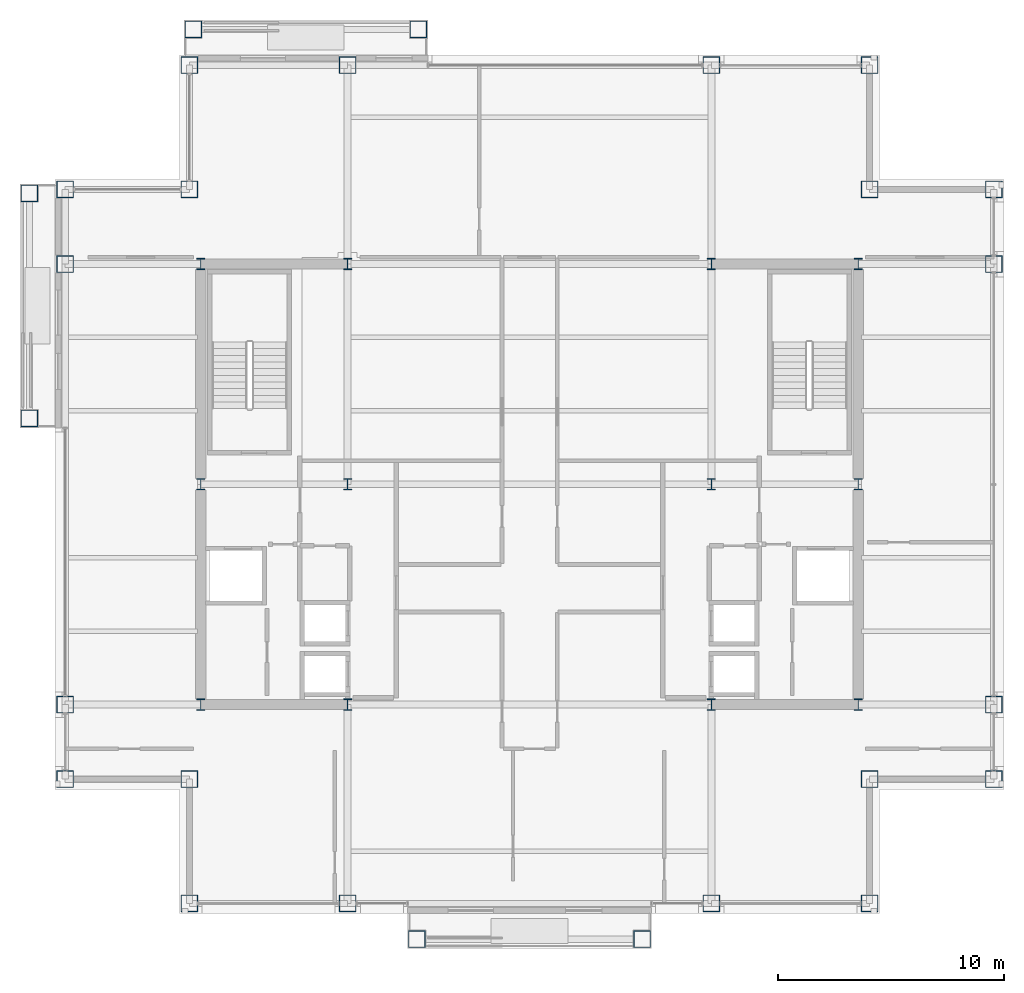
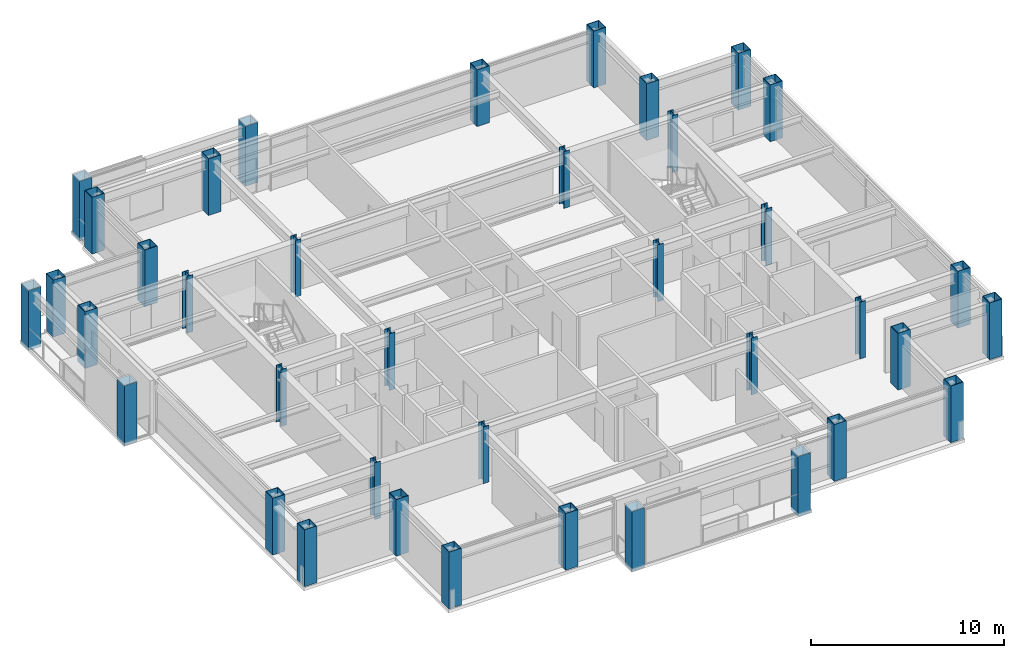
# One storey, part 1 of 27: 38 columns.
"""IFC4 building model written with IfcOpenShell, lengths in metres."""

from ifc_helpers import new_model, si_unit, direction, frame, origin, origin_2d, place, context, subcontext, project, spatial, hollow_rectangle, i_section, extrude, material, material_profile, profile_set, type_object, element, save


model = new_model("IFC4")

# Units and contexts
model_context = context("Model", 3, precision=1e-05, world=origin(), true_north=direction((0.0, 1.0)))
body_context = subcontext(model_context, "Body", "Model", "MODEL_VIEW")
ifc_project = project(units=[si_unit("LENGTHUNIT", "METRE"), si_unit("AREAUNIT", "SQUARE_METRE"), si_unit("VOLUMEUNIT", "CUBIC_METRE"), si_unit("PLANEANGLEUNIT", "RADIAN"), si_unit("MASSUNIT", "GRAM", prefix="KILO")], contexts=[model_context])

# Site, building, storey
site_placement = place(None, origin())
site = spatial("IfcSite", under=ifc_project, at=site_placement, CompositionType="ELEMENT")
building_placement = place(site_placement, origin())
building = spatial("IfcBuilding", under=site, at=building_placement, Name="Brelmoor Portico Tower", CompositionType="ELEMENT")
storey_placement = place(building_placement, frame((0.0, 0.0, 158.699951171875)))
storey = spatial("IfcBuildingStorey", under=building, at=storey_placement, Name="L41", CompositionType="ELEMENT", Elevation=158.699951171875)

# Columns
ifc_material = material(Name="Steel Q355B", Category="steel")
ifc_material_profile_1 = material_profile(ifc_material, hollow_rectangle(XDim=0.75, YDim=0.75, WallThickness=0.031982421875, at=origin_2d()), Name="BOX 750x750x32")
ifc_profile_set_1 = profile_set([ifc_material_profile_1], Name="Steel Q355B")
column_type_1 = type_object("IfcColumnType", Name="COL-MEGA-750", PredefinedType="COLUMN", material=ifc_profile_set_1)
for number, where, z_axis, x_axis, name in (
    (1, (-15.050048828125, -18.550048828125, 0.0), (0.0, 0.0, 1.0), (1.0, 0.0, 0.0), "L41 Perimeter Mega-Column PS01"),
    (2, (-8.050048828125, -18.550048828125, 0.0), (0.0, 0.0, 1.0), (1.0, 0.0, 0.0), "L41 Perimeter Mega-Column PS02"),
    (3, (8.050048828125, -18.550048828125, 0.0), (0.0, 0.0, 1.0), (1.0, 0.0, 0.0), "L41 Perimeter Mega-Column PS03"),
    (4, (15.050048828125, -18.550048828125, 0.0), (0.0, 0.0, 1.0), (1.0, 0.0, 0.0), "L41 Perimeter Mega-Column PS04"),
    (5, (-15.050048828125, 18.550048828125, 0.0), (0.0, 0.0, 1.0), (1.0, 0.0, 0.0), "L41 Perimeter Mega-Column PN01"),
    (6, (-8.050048828125, 18.550048828125, 0.0), (0.0, 0.0, 1.0), (1.0, 0.0, 0.0), "L41 Perimeter Mega-Column PN02"),
    (7, (8.050048828125, 18.550048828125, 0.0), (0.0, 0.0, 1.0), (1.0, 0.0, 0.0), "L41 Perimeter Mega-Column PN03"),
    (8, (15.050048828125, 18.550048828125, 0.0), (0.0, 0.0, 1.0), (1.0, 0.0, 0.0), "L41 Perimeter Mega-Column PN04"),
    (9, (-20.550048828125, -13.050048828125, 0.0), (0.0, 0.0, 1.0), (0.0, 1.0, 0.0), "L41 Perimeter Mega-Column PW01"),
    (10, (-20.550048828125, -9.75, 0.0), (0.0, 0.0, 1.0), (0.0, 1.0, 0.0), "L41 Perimeter Mega-Column PW02"),
    (11, (-20.550048828125, 9.75, 0.0), (0.0, 0.0, 1.0), (0.0, 1.0, 0.0), "L41 Perimeter Mega-Column PW03"),
    (12, (-20.550048828125, 13.050048828125, 0.0), (0.0, 0.0, 1.0), (0.0, 1.0, 0.0), "L41 Perimeter Mega-Column PW04"),
    (13, (20.550048828125, -13.050048828125, 0.0), (0.0, 0.0, 1.0), (0.0, 1.0, 0.0), "L41 Perimeter Mega-Column PE01"),
    (14, (20.550048828125, -9.75, 0.0), (0.0, 0.0, 1.0), (0.0, 1.0, 0.0), "L41 Perimeter Mega-Column PE02"),
    (15, (20.550048828125, 9.75, 0.0), (0.0, 0.0, 1.0), (0.0, 1.0, 0.0), "L41 Perimeter Mega-Column PE03"),
    (16, (20.550048828125, 13.050048828125, 0.0), (0.0, 0.0, 1.0), (0.0, 1.0, 0.0), "L41 Perimeter Mega-Column PE04"),
    (17, (-15.050048828125, 13.050048828125, 0.0), (0.0, 0.0, 1.0), (1.0, 0.0, 0.0), "L41 Perimeter Mega-Column PC-NW"),
    (18, (15.050048828125, 13.050048828125, 0.0), (0.0, 0.0, 1.0), (1.0, 0.0, 0.0), "L41 Perimeter Mega-Column PC-NE"),
    (19, (15.050048828125, -13.050048828125, 0.0), (0.0, 0.0, 1.0), (1.0, 0.0, 0.0), "L41 Perimeter Mega-Column PC-SE"),
    (20, (-15.050048828125, -13.050048828125, 0.0), (0.0, 0.0, 1.0), (1.0, 0.0, 0.0), "L41 Perimeter Mega-Column PC-SW"),
):
    element("IfcColumn", number, at=place(storey_placement, frame(where, z_axis=z_axis, x_axis=x_axis)), inside=storey, type_object=column_type_1, Name=name, PredefinedType="COLUMN", context=body_context, shape_type="SweptSolid", body=[
        extrude(hollow_rectangle(XDim=0.75, YDim=0.75, WallThickness=0.031982421875, at=origin_2d()), origin(), (0.0, 0.0, 1.0), 3.60009765625),
    ])
for number, where, z_axis, x_axis, name in (
    (21, (-4.97998046875, -20.1298828125, -0.199951171875), (0.0, 0.0, 1.0), (1.0, 0.0, 0.0), "L41 Proud Picture-Frame Pier PFJ-S1"),
    (22, (4.97998046875, -20.1298828125, -0.199951171875), (0.0, 0.0, 1.0), (1.0, 0.0, 0.0), "L41 Proud Picture-Frame Pier PFJ-S2"),
    (23, (-14.8798828125, 20.1298828125, -0.199951171875), (0.0, 0.0, 1.0), (1.0, 0.0, 0.0), "L41 Proud Picture-Frame Pier PFJ-N1"),
    (24, (-4.919921875, 20.1298828125, -0.199951171875), (0.0, 0.0, 1.0), (1.0, 0.0, 0.0), "L41 Proud Picture-Frame Pier PFJ-N2"),
    (25, (-22.1298828125, 2.919921875, -0.199951171875), (0.0, 0.0, 1.0), (0.0, 1.0, 0.0), "L41 Proud Picture-Frame Pier PFJ-W1"),
    (26, (-22.1298828125, 12.8798828125, -0.199951171875), (0.0, 0.0, 1.0), (0.0, 1.0, 0.0), "L41 Proud Picture-Frame Pier PFJ-W2"),
):
    element("IfcColumn", number, at=place(storey_placement, frame(where, z_axis=z_axis, x_axis=x_axis)), inside=storey, type_object=column_type_1, Name=name, PredefinedType="COLUMN", context=body_context, shape_type="SweptSolid", body=[
        extrude(hollow_rectangle(XDim=0.75, YDim=0.75, WallThickness=0.031982421875, at=origin_2d()), origin(), (0.0, 0.0, 1.0), 3.800048828125),
    ])
ifc_material_profile_2 = material_profile(ifc_material, i_section(OverallWidth=0.35009765625, OverallDepth=0.5, WebThickness=0.02001953125, FlangeThickness=0.031982421875, at=origin_2d()), Name="HW 500x350x20x32")
ifc_profile_set_2 = profile_set([ifc_material_profile_2], Name="Steel Q355B")
column_type_2 = type_object("IfcColumnType", Name="COL-SPINE-500", PredefinedType="COLUMN", material=ifc_profile_set_2)
for number, where, z_axis, x_axis, name in (
    (27, (-14.550048828125, -9.75, 0.0), (0.0, 0.0, 1.0), (1.0, 0.0, 0.0), "L41 Core Spine Column CW-SW"),
    (28, (-14.550048828125, 0.0, 0.0), (0.0, 0.0, 1.0), (1.0, 0.0, 0.0), "L41 Core Spine Column CW-MW"),
    (29, (-14.550048828125, 9.75, 0.0), (0.0, 0.0, 1.0), (1.0, 0.0, 0.0), "L41 Core Spine Column CW-NW"),
    (30, (-8.050048828125, -9.75, 0.0), (0.0, 0.0, 1.0), (1.0, 0.0, 0.0), "L41 Core Spine Column CW-SE"),
    (31, (-8.050048828125, 0.0, 0.0), (0.0, 0.0, 1.0), (1.0, 0.0, 0.0), "L41 Core Spine Column CW-ME"),
    (32, (-8.050048828125, 9.75, 0.0), (0.0, 0.0, 1.0), (1.0, 0.0, 0.0), "L41 Core Spine Column CW-NE"),
    (33, (8.050048828125, -9.75, 0.0), (0.0, 0.0, 1.0), (1.0, 0.0, 0.0), "L41 Core Spine Column CE-SW"),
    (34, (8.050048828125, 0.0, 0.0), (0.0, 0.0, 1.0), (1.0, 0.0, 0.0), "L41 Core Spine Column CE-MW"),
    (35, (8.050048828125, 9.75, 0.0), (0.0, 0.0, 1.0), (1.0, 0.0, 0.0), "L41 Core Spine Column CE-NW"),
    (36, (14.550048828125, -9.75, 0.0), (0.0, 0.0, 1.0), (1.0, 0.0, 0.0), "L41 Core Spine Column CE-SE"),
    (37, (14.550048828125, 0.0, 0.0), (0.0, 0.0, 1.0), (1.0, 0.0, 0.0), "L41 Core Spine Column CE-ME"),
    (38, (14.550048828125, 9.75, 0.0), (0.0, 0.0, 1.0), (1.0, 0.0, 0.0), "L41 Core Spine Column CE-NE"),
):
    element("IfcColumn", number, at=place(storey_placement, frame(where, z_axis=z_axis, x_axis=x_axis)), inside=storey, type_object=column_type_2, Name=name, PredefinedType="COLUMN", context=body_context, shape_type="SweptSolid", body=[
        extrude(i_section(OverallWidth=0.35009765625, OverallDepth=0.5, WebThickness=0.02001953125, FlangeThickness=0.031982421875, at=origin_2d()), origin(), (0.0, 0.0, 1.0), 3.60009765625),
    ])

save(model, "model.ifc")
